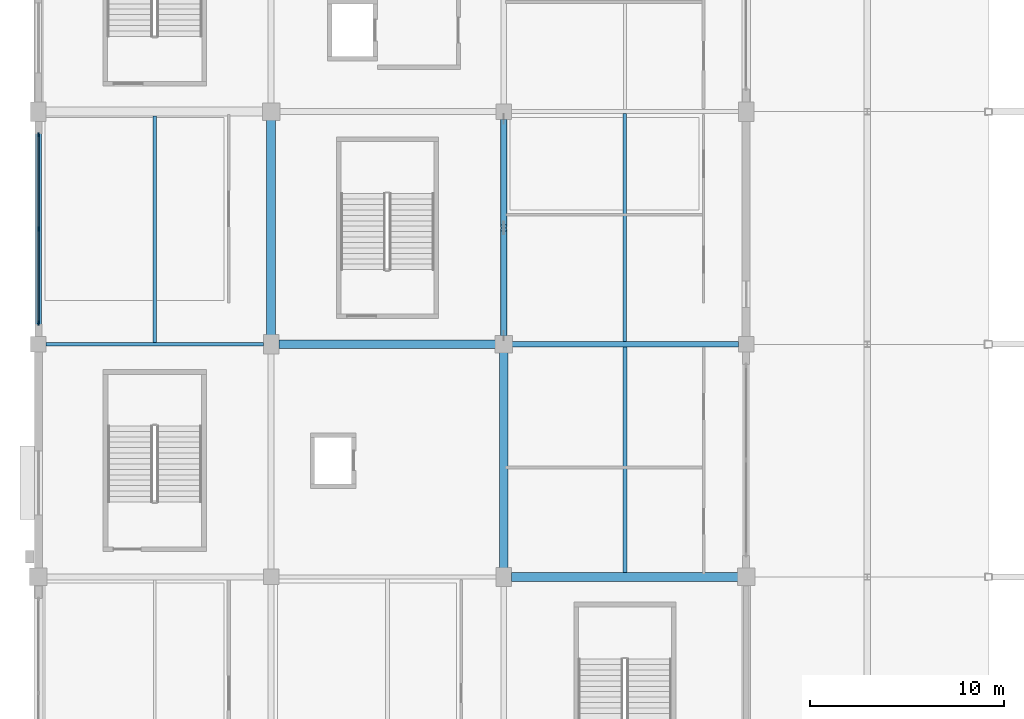
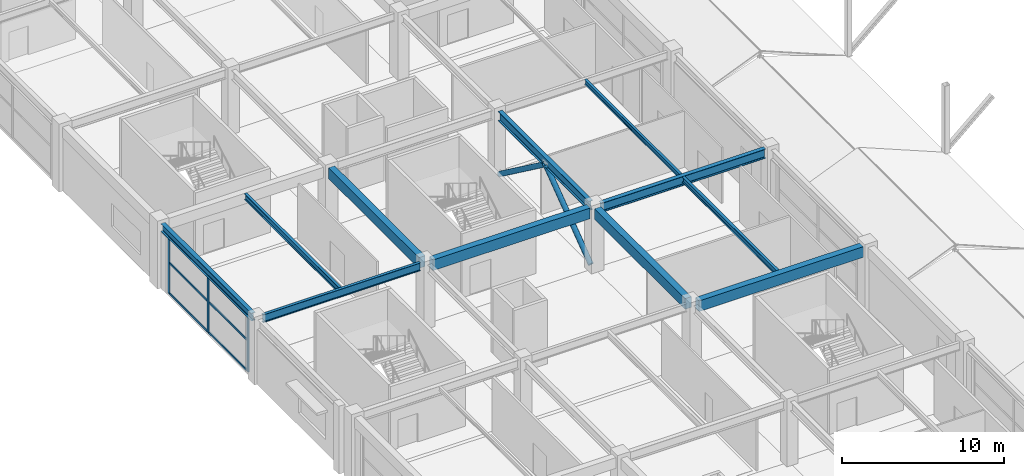
# One storey, part 23 of 116: 11 beams, 11 members, 1 element without a shape of its own.
"""IFC4 building model written with IfcOpenShell, lengths in metres."""

import ifcopenshell
import ifcopenshell.guid

model = None  # the IFC model being written
_history = None  # IfcOwnerHistory: only IFC2X3 demands one
_inside = {}  # id of a spatial element -> (the spatial element, [elements in it])
_under = {}  # id of a project, library or spatial element -> (it, [spatial elements below it])
_declared = {}  # id of a project -> (the project, [libraries it declares])
_typed = {}  # id of a type object -> (the type object, [elements of that type])
_made_of = {}  # id of a material, layer set ... -> (it, [elements and type objects made of it])


def new_model(schema):
    """Start an empty IFC model of exactly this schema.

    Asked for "IFC4X3", IfcOpenShell would pick the latest addendum, in which some entities
    have other attributes; the version numbers below select the first issue.
    IFC2X3 requires an IfcOwnerHistory on every rooted entity: one is made here for all.
    """
    global model, _history
    if schema == "IFC4X3":
        model = ifcopenshell.file(schema_version=(4, 3, 0, 0))
    else:
        model = ifcopenshell.file(schema=schema)
    _inside.clear()
    _under.clear()
    _declared.clear()
    _typed.clear()
    _made_of.clear()
    _history = None
    if model.schema == "IFC2X3":
        org = make("IfcOrganization", Name="unknown")
        user = make(
            "IfcPersonAndOrganization",
            ThePerson=make("IfcPerson", FamilyName="unknown"),
            TheOrganization=org,
        )
        app = make(
            "IfcApplication",
            ApplicationDeveloper=org,
            Version="unknown",
            ApplicationFullName="unknown",
            ApplicationIdentifier="unknown",
        )
        _history = make(
            "IfcOwnerHistory",
            OwningUser=user,
            OwningApplication=app,
            ChangeAction="ADDED",
            CreationDate=0,
        )
    return model


def make(cls, **values):
    """One entity of the class cls with the attributes given. An attribute that is None is left unset."""
    return model.create_entity(
        cls, **{name: value for name, value in values.items() if value is not None}
    )


def rooted(cls, **values):
    """An entity with a GlobalId (a new one), such as an element, a storey or a relation."""
    return make(cls, GlobalId=ifcopenshell.guid.new(), OwnerHistory=_history, **values)


def si_unit(unit_type, name, prefix=None):
    """IfcSIUnit, for example si_unit("LENGTHUNIT", "METRE", prefix="MILLI")."""
    return make("IfcSIUnit", UnitType=unit_type, Prefix=prefix, Name=name)


def assignment(units):
    """IfcUnitAssignment: the units of a project."""
    return None if units is None else make("IfcUnitAssignment", Units=units)


def point(xyz):
    """IfcCartesianPoint."""
    return None if xyz is None else make("IfcCartesianPoint", Coordinates=xyz)


def direction(xyz):
    """IfcDirection."""
    return None if xyz is None else make("IfcDirection", DirectionRatios=xyz)


def frame(location, z_axis=None, x_axis=None):
    """IfcAxis2Placement3D, a coordinate frame: its origin and axes. An axis left out is left unset."""
    return make(
        "IfcAxis2Placement3D",
        Location=point(location),
        Axis=direction(z_axis),
        RefDirection=direction(x_axis),
    )


def frame_2d(location, x_axis=None):
    """IfcAxis2Placement2D, a coordinate frame in the plane: its origin and x axis."""
    return make(
        "IfcAxis2Placement2D", Location=point(location), RefDirection=direction(x_axis)
    )


def origin():
    """The frame at (0, 0, 0) with its axes left unset."""
    return frame((0.0, 0.0, 0.0))


def origin_2d():
    """The frame at (0, 0) in the plane with its x axis left unset."""
    return frame_2d((0.0, 0.0))


def place(relative_to, where):
    """IfcLocalPlacement: puts the frame where relative to a parent placement (None: the world)."""
    return make(
        "IfcLocalPlacement", PlacementRelTo=relative_to, RelativePlacement=where
    )


def context(
    kind, dimensions, precision=None, world=None, true_north=None, identifier=None
):
    """IfcGeometricRepresentationContext, for example the 3D "Model" context."""
    return make(
        "IfcGeometricRepresentationContext",
        ContextIdentifier=identifier,
        ContextType=kind,
        CoordinateSpaceDimension=dimensions,
        Precision=precision,
        WorldCoordinateSystem=world,
        TrueNorth=true_north,
    )


def subcontext(parent, identifier, kind, view, scale=None):
    """IfcGeometricRepresentationSubContext, for example "Body" below "Model"."""
    return make(
        "IfcGeometricRepresentationSubContext",
        ContextIdentifier=identifier,
        ContextType=kind,
        ParentContext=parent,
        TargetScale=scale,
        TargetView=view,
    )


def project(units=None, contexts=None):
    """IfcProject with its units and contexts."""
    return rooted(
        "IfcProject",
        Name="project",
        RepresentationContexts=contexts,
        UnitsInContext=assignment(units),
    )


def spatial(cls, under=None, at=None, **own):
    """A site, building, storey or space (cls), placed at a placement, below another one or the project."""
    s = rooted(cls, ObjectPlacement=at, **own)
    if under is not None:
        _under.setdefault(under.id(), (under, []))[1].append(s)
    return s


def profile(cls, at=None, kind="AREA", **sizes):
    """A parametric profile (cls). Its sizes go by their IFC names, for example OverallWidth=200.0."""
    return make(cls, ProfileType=kind, Position=at, **sizes)


def rectangle(**sizes):
    """IfcRectangleProfileDef."""
    return profile("IfcRectangleProfileDef", **sizes)


def hollow_circle(**sizes):
    """IfcCircleHollowProfileDef."""
    return profile("IfcCircleHollowProfileDef", **sizes)


def i_section(**sizes):
    """IfcIShapeProfileDef."""
    return profile("IfcIShapeProfileDef", **sizes)


def extrude(swept, where, along, depth):
    """IfcExtrudedAreaSolid: the profile swept, set in the frame where, extruded along a direction by depth."""
    return make(
        "IfcExtrudedAreaSolid",
        SweptArea=swept,
        Position=where,
        ExtrudedDirection=direction(along),
        Depth=depth,
    )


def shape(context_of_items, identifier, shape_type, items):
    """IfcShapeRepresentation: the items that make up one representation, for example the "Body"."""
    return make(
        "IfcShapeRepresentation",
        ContextOfItems=context_of_items,
        RepresentationIdentifier=identifier,
        RepresentationType=shape_type,
        Items=items,
    )


def material(Name=None, Category=None):
    """IfcMaterial."""
    return make("IfcMaterial", Name=Name, Category=Category)


def layer(
    of_material, thickness, ventilated=None, Name=None, Category=None, Priority=None
):
    """IfcMaterialLayer: one layer of a wall or slab, of a material (None: an air gap)."""
    return make(
        "IfcMaterialLayer",
        Material=of_material,
        LayerThickness=thickness,
        IsVentilated=ventilated,
        Name=Name,
        Category=Category,
        Priority=Priority,
    )


def layer_set(layers, Name=None):
    """IfcMaterialLayerSet."""
    return make("IfcMaterialLayerSet", MaterialLayers=layers, LayerSetName=Name)


def material_profile(
    of_material, cross_section, Name=None, Category=None, Priority=None
):
    """IfcMaterialProfile: a cross section and its material."""
    return make(
        "IfcMaterialProfile",
        Name=Name,
        Material=of_material,
        Profile=cross_section,
        Priority=Priority,
        Category=Category,
    )


def profile_set(profiles, Name=None, composite=None):
    """IfcMaterialProfileSet."""
    return make(
        "IfcMaterialProfileSet",
        Name=Name,
        MaterialProfiles=profiles,
        CompositeProfile=composite,
    )


def made_of(thing, what):
    """Note that an element or type object is made of a material, layer set ...; save() writes the relation."""
    if what is not None:
        _made_of.setdefault(what.id(), (what, []))[1].append(thing)
    return thing


def type_object(cls, material=None, **own):
    """A type object (cls), such as IfcWallType, which elements share."""
    return made_of(rooted(cls, **own), material)


def element(
    cls,
    number,
    at=None,
    inside=None,
    cuts=None,
    type_object=None,
    material=None,
    context=None,
    identifier="Body",
    shape_type=None,
    held_by="IfcProductDefinitionShape",
    body=None,
    shapes=None,
    **own,
):
    """One element of the class cls, such as IfcWall. Its Tag is "e" and its number.

    at: its placement. inside: the storey or other place that contains it. cuts: it is an
    opening in that element (IfcRelVoidsElement). A single representation is given by context,
    identifier, shape_type and body (its items); several are given by shapes. held_by: the class
    of the entity that holds the representations. save() writes the other relations.
    """
    e = rooted(cls, Tag="e%d" % number, ObjectPlacement=at, **own)
    if body is not None:
        shapes = [shape(context, identifier, shape_type, body)]
    if shapes is not None:
        e.Representation = make(held_by, Representations=shapes)
    if inside is not None:
        _inside.setdefault(inside.id(), (inside, []))[1].append(e)
    if cuts is not None:
        rooted(
            "IfcRelVoidsElement", RelatingBuildingElement=cuts, RelatedOpeningElement=e
        )
    if type_object is not None:
        _typed.setdefault(type_object.id(), (type_object, []))[1].append(e)
    return made_of(e, material)


def aggregate(whole, parts):
    """IfcRelAggregates: a whole, such as a stair, and the parts it consists of."""
    return rooted("IfcRelAggregates", RelatingObject=whole, RelatedObjects=parts)


def save(model, path):
    """Write the relations noted so far, then the file.

    IfcRelAggregates (storeys below a building ...), IfcRelContainedInSpatialStructure (elements
    in a storey), IfcRelDefinesByType, IfcRelAssociatesMaterial and IfcRelDeclares: one each for
    every whole, place, type object, material and project.
    """
    for whole, parts in _under.values():
        aggregate(whole, parts)
    for where, things in _inside.values():
        rooted(
            "IfcRelContainedInSpatialStructure",
            RelatedElements=things,
            RelatingStructure=where,
        )
    for kind, things in _typed.values():
        rooted("IfcRelDefinesByType", RelatedObjects=things, RelatingType=kind)
    for what, things in _made_of.values():
        rooted("IfcRelAssociatesMaterial", RelatedObjects=things, RelatingMaterial=what)
    for by, libraries in _declared.values():
        rooted("IfcRelDeclares", RelatingContext=by, RelatedDefinitions=libraries)
    model.write(path)


model = new_model("IFC4")

# Units and contexts
model_context = context("Model", 3, precision=1e-05, world=origin(), true_north=direction((0.0, 1.0)))
body_context = subcontext(model_context, "Body", "Model", "MODEL_VIEW")
ifc_project = project(units=[si_unit("LENGTHUNIT", "METRE"), si_unit("AREAUNIT", "SQUARE_METRE"), si_unit("VOLUMEUNIT", "CUBIC_METRE"), si_unit("PLANEANGLEUNIT", "RADIAN"), si_unit("MASSUNIT", "GRAM", prefix="KILO")], contexts=[model_context])

# Site, building, storey
site_placement = place(None, origin())
site = spatial("IfcSite", under=ifc_project, at=site_placement, CompositionType="ELEMENT")
building_placement = place(site_placement, origin())
building = spatial("IfcBuilding", under=site, at=building_placement, Name="Kazenohara Klinker Stadium", CompositionType="ELEMENT")
storey_placement = place(building_placement, frame((0.0, 0.0, 10.199951171875)))
storey = spatial("IfcBuildingStorey", under=building, at=storey_placement, Name="L02", CompositionType="ELEMENT", Elevation=10.199951171875)

# Beams
ifc_material_1 = material(Name="Steel S355", Category="steel")
ifc_material_profile_1 = material_profile(ifc_material_1, i_section(OverallWidth=0.199951171875, OverallDepth=0.449951171875, WebThickness=0.009033203125, FlangeThickness=0.013916015625, FilletRadius=0.012939453125, at=origin_2d()), Name="H-450x200x9x14")
ifc_profile_set_1 = profile_set([ifc_material_profile_1], Name="Steel S355")
beam_type_1 = type_object("IfcBeamType", Name="BM-JST02", PredefinedType="JOIST", material=ifc_profile_set_1)
beam_1_placement = place(storey_placement, frame((6.0, 96.10009765625, 4.594970703125), z_axis=(0.0, 1.0, 0.0), x_axis=(-1.0, 0.0, 0.0)))
element("IfcBeam", 1, at=beam_1_placement, inside=storey, type_object=beam_type_1, Name="Secondary floor joist SJ02 L02 1/J", PredefinedType="JOIST", context=body_context, shape_type="SweptSolid", body=[
    extrude(i_section(OverallWidth=0.199951171875, OverallDepth=0.449951171875, WebThickness=0.009033203125, FlangeThickness=0.013916015625, FilletRadius=0.012939453125, at=origin_2d()), origin(), (0.0, 0.0, 1.0), 11.6748046875),
])
ifc_material_profile_2 = material_profile(ifc_material_1, i_section(OverallWidth=0.199951171875, OverallDepth=0.39990234375, WebThickness=0.008056640625, FlangeThickness=0.012939453125, FilletRadius=0.012939453125, at=origin_2d()), Name="H-400x200x8x13")
ifc_profile_set_2 = profile_set([ifc_material_profile_2], Name="Steel S355")
beam_type_2 = type_object("IfcBeamType", Name="BM-JST03", PredefinedType="JOIST", material=ifc_profile_set_2)
beam_2_placement = place(storey_placement, frame((30.25, 84.22509765625, 4.6201171875), z_axis=(0.0, 1.0, 0.0), x_axis=(-1.0, 0.0, 0.0)))
element("IfcBeam", 2, at=beam_2_placement, inside=storey, type_object=beam_type_2, Name="Secondary floor joist SJ03 L02 3/H", PredefinedType="JOIST", context=body_context, shape_type="SweptSolid", body=[
    extrude(i_section(OverallWidth=0.199951171875, OverallDepth=0.39990234375, WebThickness=0.008056640625, FlangeThickness=0.012939453125, FilletRadius=0.012939453125, at=origin_2d()), origin(), (0.0, 0.0, 1.0), 11.625),
])
ifc_material_profile_3 = material_profile(ifc_material_1, i_section(OverallWidth=0.175048828125, OverallDepth=0.35009765625, WebThickness=0.007080078125, FlangeThickness=0.010986328125, FilletRadius=0.012939453125, at=origin_2d()), Name="H-350x175x7x11")
ifc_profile_set_3 = profile_set([ifc_material_profile_3], Name="Steel S355")
beam_type_3 = type_object("IfcBeamType", Name="BM-JST04", PredefinedType="JOIST", material=ifc_profile_set_3)
beam_3_placement = place(storey_placement, frame((30.25, 96.14990234375, 4.64501953125), z_axis=(0.0, 1.0, 0.0), x_axis=(-1.0, 0.0, 0.0)))
element("IfcBeam", 3, at=beam_3_placement, inside=storey, type_object=beam_type_3, Name="Secondary floor joist SJ04 L02 3/J", PredefinedType="JOIST", context=body_context, shape_type="SweptSolid", body=[
    extrude(i_section(OverallWidth=0.175048828125, OverallDepth=0.35009765625, WebThickness=0.007080078125, FlangeThickness=0.010986328125, FilletRadius=0.012939453125, at=origin_2d()), origin(), (0.0, 0.0, 1.0), 11.75),
])
ifc_material_2 = material(Name="Concrete C40/50", Category="concrete")
ifc_material_profile_4 = material_profile(ifc_material_2, rectangle(XDim=0.449951171875, YDim=0.800048828125, at=origin_2d()), Name="RC-BM-450x800")
ifc_profile_set_4 = profile_set([ifc_material_profile_4], Name="Concrete C40/50")
beam_type_4 = type_object("IfcBeamType", Name="BM-RC03", PredefinedType="BEAM", material=ifc_profile_set_4)
beam_4_placement = place(storey_placement, frame((12.39990234375, 96.0, 4.420166015625), z_axis=(1.0, 0.0, 0.0), x_axis=(0.0, 1.0, 0.0)))
element("IfcBeam", 4, at=beam_4_placement, inside=storey, type_object=beam_type_4, Name="Primary girder BG03 L02 2-3/J", PredefinedType="BEAM", context=body_context, shape_type="SweptSolid", body=[
    extrude(rectangle(XDim=0.449951171875, YDim=0.800048828125, at=origin_2d()), origin(), (0.0, 0.0, 1.0), 11.18017578125),
])
beam_5_placement = place(storey_placement, frame((24.39990234375, 84.0, 4.420166015625), z_axis=(1.0, 0.0, 0.0), x_axis=(0.0, 1.0, 0.0)))
element("IfcBeam", 5, at=beam_5_placement, inside=storey, type_object=beam_type_4, Name="Primary girder BG03 L02 3-4/H", PredefinedType="BEAM", context=body_context, shape_type="SweptSolid", body=[
    extrude(rectangle(XDim=0.449951171875, YDim=0.800048828125, at=origin_2d()), origin(), (0.0, 0.0, 1.0), 11.68017578125),
])
for number, where, z_axis, x_axis, name in (
    (6, (12.0, 96.419921875, 4.420166015625), (0.0, 1.0, 0.0), (-1.0, 0.0, 0.0), "Primary girder BG03 L02 2/J-K"),
    (7, (24.0, 84.419921875, 4.420166015625), (0.0, 1.0, 0.0), (-1.0, 0.0, 0.0), "Primary girder BG03 L02 3/H-J"),
):
    element("IfcBeam", number, at=place(storey_placement, frame(where, z_axis=z_axis, x_axis=x_axis)), inside=storey, type_object=beam_type_4, Name=name, PredefinedType="BEAM", context=body_context, shape_type="SweptSolid", body=[
        extrude(rectangle(XDim=0.449951171875, YDim=0.800048828125, at=origin_2d()), origin(), (0.0, 0.0, 1.0), 11.16015625),
    ])
ifc_material_profile_5 = material_profile(ifc_material_1, i_section(OverallWidth=0.300048828125, OverallDepth=0.699951171875, WebThickness=0.012939453125, FlangeThickness=0.02392578125, FilletRadius=0.02197265625, at=origin_2d()), Name="H-700x300x13x24")
ifc_profile_set_5 = profile_set([ifc_material_profile_5], Name="Steel S355")
beam_type_5 = type_object("IfcBeamType", Name="BM-ST03", PredefinedType="BEAM", material=ifc_profile_set_5)
beam_6_placement = place(storey_placement, frame((24.419921875, 96.0, 4.469970703125), z_axis=(1.0, 0.0, 0.0), x_axis=(0.0, 1.0, 0.0)))
element("IfcBeam", 8, at=beam_6_placement, inside=storey, type_object=beam_type_5, Name="Primary girder SB03 L02 3-4/J", PredefinedType="BEAM", context=body_context, shape_type="SweptSolid", body=[
    extrude(i_section(OverallWidth=0.300048828125, OverallDepth=0.699951171875, WebThickness=0.012939453125, FlangeThickness=0.02392578125, FilletRadius=0.02197265625, at=origin_2d()), origin(), (0.0, 0.0, 1.0), 11.68017578125),
])
beam_7_placement = place(storey_placement, frame((24.0, 96.419921875, 4.469970703125), z_axis=(0.0, 1.0, 0.0), x_axis=(-1.0, 0.0, 0.0)))
element("IfcBeam", 9, at=beam_7_placement, inside=storey, type_object=beam_type_5, Name="Primary girder SB03 L02 3/J-K", PredefinedType="BEAM", context=body_context, shape_type="SweptSolid", body=[
    extrude(i_section(OverallWidth=0.300048828125, OverallDepth=0.699951171875, WebThickness=0.012939453125, FlangeThickness=0.02392578125, FilletRadius=0.02197265625, at=origin_2d()), origin(), (0.0, 0.0, 1.0), 11.18017578125),
])
ifc_material_profile_6 = material_profile(ifc_material_1, i_section(OverallWidth=0.199951171875, OverallDepth=0.60009765625, WebThickness=0.010986328125, FlangeThickness=0.01708984375, FilletRadius=0.012939453125, at=origin_2d()), Name="H-600x200x11x17")
ifc_profile_set_6 = profile_set([ifc_material_profile_6], Name="Steel S355")
beam_type_6 = type_object("IfcBeamType", Name="BM-ST04", PredefinedType="BEAM", material=ifc_profile_set_6)
beam_8_placement = place(storey_placement, frame((0.39990234375, 96.0, 4.52001953125), z_axis=(1.0, 0.0, 0.0), x_axis=(0.0, 1.0, 0.0)))
element("IfcBeam", 10, at=beam_8_placement, inside=storey, type_object=beam_type_6, Name="Primary girder SB04 L02 1-2/J", PredefinedType="BEAM", context=body_context, shape_type="SweptSolid", body=[
    extrude(i_section(OverallWidth=0.199951171875, OverallDepth=0.60009765625, WebThickness=0.010986328125, FlangeThickness=0.01708984375, FilletRadius=0.012939453125, at=origin_2d()), origin(), (0.0, 0.0, 1.0), 11.2001953125),
])
ifc_material_profile_7 = material_profile(ifc_material_1, i_section(OverallWidth=0.300048828125, OverallDepth=0.587890625, WebThickness=0.011962890625, FlangeThickness=0.02001953125, FilletRadius=0.02197265625, at=origin_2d()), Name="H-588x300x12x20")
ifc_profile_set_7 = profile_set([ifc_material_profile_7], Name="Steel S355")
beam_type_7 = type_object("IfcBeamType", Name="BM-ST05", PredefinedType="BEAM", material=ifc_profile_set_7)
beam_9_placement = place(storey_placement, frame((0.0, 96.39990234375, 4.526123046875), z_axis=(0.0, 1.0, 0.0), x_axis=(-1.0, 0.0, 0.0)))
element("IfcBeam", 11, at=beam_9_placement, inside=storey, type_object=beam_type_7, Name="Primary girder SB05 L02 1/J-K", PredefinedType="BEAM", context=body_context, shape_type="SweptSolid", body=[
    extrude(i_section(OverallWidth=0.300048828125, OverallDepth=0.587890625, WebThickness=0.011962890625, FlangeThickness=0.02001953125, FilletRadius=0.02197265625, at=origin_2d()), origin(), (0.0, 0.0, 1.0), 11.18017578125),
])

# Curtain wall, members
ifc_material_3 = material(Name="Anodised aluminium and triple glazing", Category="aluminium")
ifc_layer = layer(ifc_material_3, 0.18994140625)
ifc_layer_set = layer_set([ifc_layer], Name="Anodised aluminium and triple glazing")
curtain_wall_type = type_object("IfcCurtainWallType", Name="CW-SYS-05", PredefinedType="USERDEFINED", material=ifc_layer_set)
curtain_wall_placement = place(storey_placement, origin())
curtain_wall = element("IfcCurtainWall", 12, at=curtain_wall_placement, inside=storey, type_object=curtain_wall_type, Name="Unitised facade curtain wall CW05 L02 Y0-8", ObjectType="UNITISED CURTAIN WALL", PredefinedType="USERDEFINED")
ifc_material_4 = material(Name="Anodised aluminium 6063-T6", Category="aluminium")
ifc_material_profile_8 = material_profile(ifc_material_4, rectangle(XDim=0.074951171875, YDim=0.219970703125, at=origin_2d()), Name="ALU-MUL-75x220")
ifc_profile_set_8 = profile_set([ifc_material_profile_8], Name="Anodised aluminium 6063-T6")
member_type_1 = type_object("IfcMemberType", Name="CW-MUL-220", PredefinedType="MULLION", material=ifc_profile_set_8)
member_1_placement = place(storey_placement, frame((0.0, 97.091552734375, 0.0), z_axis=(0.0, 0.0, 1.0), x_axis=(-1.0, 0.0, 0.0)))
member_1 = element("IfcMember", 13, at=member_1_placement, type_object=member_type_1, Name="CW05 mullion 1", PredefinedType="MULLION", context=body_context, shape_type="SweptSolid", body=[
    extrude(rectangle(XDim=0.074951171875, YDim=0.219970703125, at=origin_2d()), origin(), (0.0, 0.0, 1.0), 4.23193359375),
])
member_2_placement = place(storey_placement, frame((0.0, 101.949951171875, 0.0), z_axis=(0.0, 0.0, 1.0), x_axis=(-1.0, 0.0, 0.0)))
member_2 = element("IfcMember", 14, at=member_2_placement, type_object=member_type_1, Name="CW05 mullion 2", PredefinedType="MULLION", context=body_context, shape_type="SweptSolid", body=[
    extrude(rectangle(XDim=0.074951171875, YDim=0.219970703125, at=origin_2d()), origin(), (0.0, 0.0, 1.0), 4.23193359375),
])
member_3_placement = place(storey_placement, frame((0.0, 106.80859375, 0.0), z_axis=(0.0, 0.0, 1.0), x_axis=(-1.0, 0.0, 0.0)))
member_3 = element("IfcMember", 15, at=member_3_placement, type_object=member_type_1, Name="CW05 mullion 3", PredefinedType="MULLION", context=body_context, shape_type="SweptSolid", body=[
    extrude(rectangle(XDim=0.074951171875, YDim=0.219970703125, at=origin_2d()), origin(), (0.0, 0.0, 1.0), 4.23193359375),
])
ifc_material_profile_9 = material_profile(ifc_material_4, rectangle(XDim=0.074951171875, YDim=0.159912109375, at=origin_2d()), Name="ALU-TRN-75x160")
ifc_profile_set_9 = profile_set([ifc_material_profile_9], Name="Anodised aluminium 6063-T6")
member_type_2 = type_object("IfcMemberType", Name="CW-TRN-160", PredefinedType="USERDEFINED", material=ifc_profile_set_9)
member_4_placement = place(storey_placement, frame((0.0, 97.12890625, 0.03759765625), z_axis=(0.0, 1.0, 0.0), x_axis=(-1.0, 0.0, 0.0)))
member_4 = element("IfcMember", 16, at=member_4_placement, type_object=member_type_2, Name="CW05 transom 1.1", ObjectType="TRANSOM", PredefinedType="USERDEFINED", context=body_context, shape_type="SweptSolid", body=[
    extrude(rectangle(XDim=0.074951171875, YDim=0.159912109375, at=origin_2d()), origin(), (0.0, 0.0, 1.0), 4.78369140625),
])
member_5_placement = place(storey_placement, frame((0.0, 97.12890625, 2.32763671875), z_axis=(0.0, 1.0, 0.0), x_axis=(-1.0, 0.0, 0.0)))
member_5 = element("IfcMember", 17, at=member_5_placement, type_object=member_type_2, Name="CW05 transom 1.2", ObjectType="TRANSOM", PredefinedType="USERDEFINED", context=body_context, shape_type="SweptSolid", body=[
    extrude(rectangle(XDim=0.074951171875, YDim=0.159912109375, at=origin_2d()), origin(), (0.0, 0.0, 1.0), 4.78369140625),
])
member_6_placement = place(storey_placement, frame((0.0, 97.12890625, 4.194580078125), z_axis=(0.0, 1.0, 0.0), x_axis=(-1.0, 0.0, 0.0)))
member_6 = element("IfcMember", 18, at=member_6_placement, type_object=member_type_2, Name="CW05 transom 1.3", ObjectType="TRANSOM", PredefinedType="USERDEFINED", context=body_context, shape_type="SweptSolid", body=[
    extrude(rectangle(XDim=0.074951171875, YDim=0.159912109375, at=origin_2d()), origin(), (0.0, 0.0, 1.0), 4.78369140625),
])
member_7_placement = place(storey_placement, frame((0.0, 101.987548828125, 0.03759765625), z_axis=(0.0, 1.0, 0.0), x_axis=(-1.0, 0.0, 0.0)))
member_7 = element("IfcMember", 19, at=member_7_placement, type_object=member_type_2, Name="CW05 transom 2.1", ObjectType="TRANSOM", PredefinedType="USERDEFINED", context=body_context, shape_type="SweptSolid", body=[
    extrude(rectangle(XDim=0.074951171875, YDim=0.159912109375, at=origin_2d()), origin(), (0.0, 0.0, 1.0), 4.783447265625),
])
member_8_placement = place(storey_placement, frame((0.0, 101.987548828125, 2.32763671875), z_axis=(0.0, 1.0, 0.0), x_axis=(-1.0, 0.0, 0.0)))
member_8 = element("IfcMember", 20, at=member_8_placement, type_object=member_type_2, Name="CW05 transom 2.2", ObjectType="TRANSOM", PredefinedType="USERDEFINED", context=body_context, shape_type="SweptSolid", body=[
    extrude(rectangle(XDim=0.074951171875, YDim=0.159912109375, at=origin_2d()), origin(), (0.0, 0.0, 1.0), 4.783447265625),
])
member_9_placement = place(storey_placement, frame((0.0, 101.987548828125, 4.194580078125), z_axis=(0.0, 1.0, 0.0), x_axis=(-1.0, 0.0, 0.0)))
member_9 = element("IfcMember", 21, at=member_9_placement, type_object=member_type_2, Name="CW05 transom 2.3", ObjectType="TRANSOM", PredefinedType="USERDEFINED", context=body_context, shape_type="SweptSolid", body=[
    extrude(rectangle(XDim=0.074951171875, YDim=0.159912109375, at=origin_2d()), origin(), (0.0, 0.0, 1.0), 4.783447265625),
])
aggregate(curtain_wall, [member_1, member_2, member_3, member_4, member_5, member_6, member_7, member_8, member_9])

# Members
ifc_material_profile_10 = material_profile(ifc_material_1, hollow_circle(Radius=0.177734375, WallThickness=0.011962890625, at=origin_2d()), Name="CHS-355.6x12")
ifc_profile_set_10 = profile_set([ifc_material_profile_10], Name="Steel S355")
member_type_3 = type_object("IfcMemberType", Name="MEM-BRC05", PredefinedType="BRACE", material=ifc_profile_set_10)
member_10_placement = place(storey_placement, frame((24.0, 96.429931640625, 0.050048828125), z_axis=(0.0, 0.801917332734, 0.597435010241), x_axis=(-1.0, 0.0, 0.0)))
element("IfcMember", 22, at=member_10_placement, inside=storey, type_object=member_type_3, Name="Concentric brace BR05 L02 3/J A", PredefinedType="BRACE", context=body_context, shape_type="SweptSolid", body=[
    extrude(hollow_circle(Radius=0.177734375, WallThickness=0.011962890625, at=origin_2d()), origin(), (0.0, 0.0, 1.0), 6.84619140625),
])
member_11_placement = place(storey_placement, frame((24.0, 107.6201171875, 0.050048828125), z_axis=(0.0, -0.804503896158, 0.593947372304), x_axis=(1.0, 0.0, 0.0)))
element("IfcMember", 23, at=member_11_placement, inside=storey, type_object=member_type_3, Name="Concentric brace BR05 L02 3/J B", PredefinedType="BRACE", context=body_context, shape_type="SweptSolid", body=[
    extrude(hollow_circle(Radius=0.177734375, WallThickness=0.011962890625, at=origin_2d()), origin(), (0.0, 0.0, 1.0), 6.88623046875),
])

save(model, "model.ifc")
